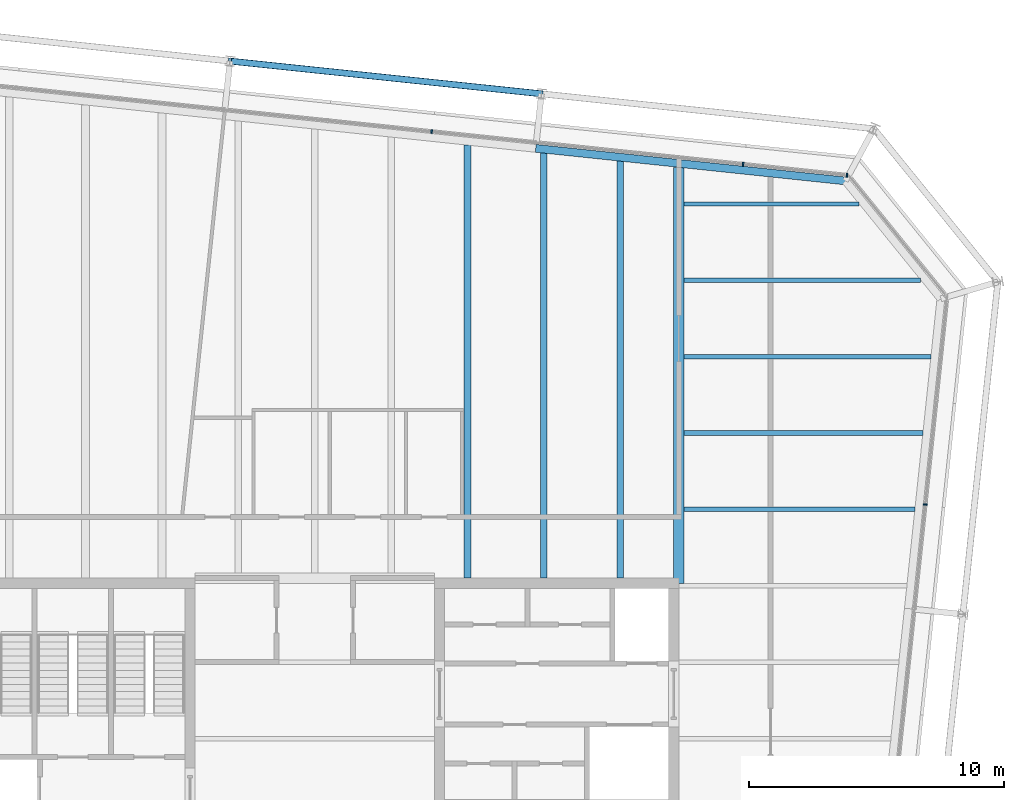
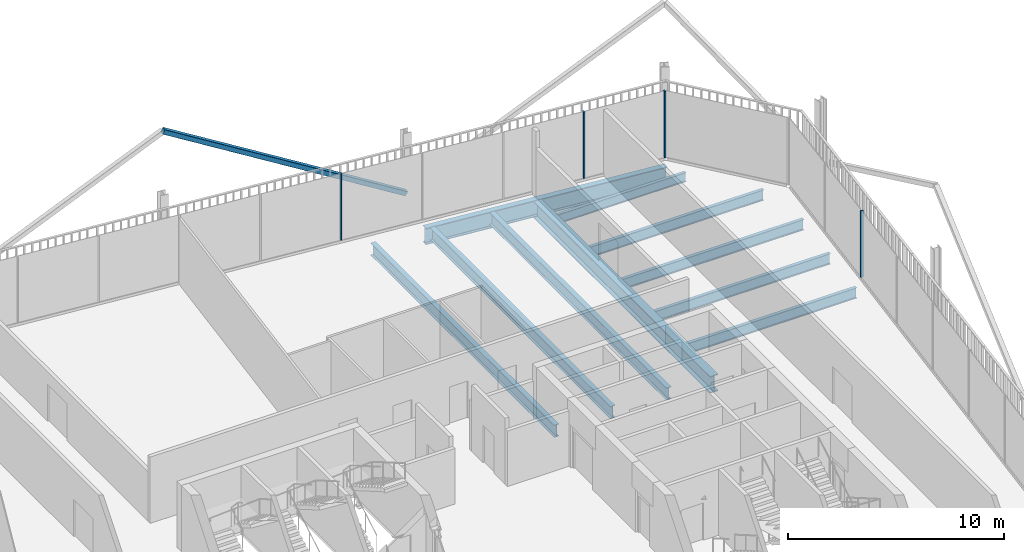
# One storey, part 14 of 21: 10 beams, 5 members, 2 elements without a shape of their own.
"""IFC4 building model written with IfcOpenShell, lengths in metres."""

from ifc_helpers import new_model, si_unit, direction, frame, origin, origin_2d, place, context, subcontext, project, spatial, rectangle, hollow_rectangle, i_section, extrude, material, layer, layer_set, material_profile, profile_set, type_object, element, aggregate, save


model = new_model("IFC4")

# Units and contexts
model_context = context("Model", 3, precision=1e-05, world=origin(), true_north=direction((0.0, 1.0)))
body_context = subcontext(model_context, "Body", "Model", "MODEL_VIEW")
ifc_project = project(units=[si_unit("LENGTHUNIT", "METRE"), si_unit("AREAUNIT", "SQUARE_METRE"), si_unit("VOLUMEUNIT", "CUBIC_METRE"), si_unit("PLANEANGLEUNIT", "RADIAN"), si_unit("MASSUNIT", "GRAM", prefix="KILO")], contexts=[model_context])

# Site, building, storey
site_placement = place(None, origin())
site = spatial("IfcSite", under=ifc_project, at=site_placement, CompositionType="ELEMENT")
building_placement = place(site_placement, origin())
building = spatial("IfcBuilding", under=site, at=building_placement, Name="Millrace Tower", CompositionType="ELEMENT")
storey_placement = place(building_placement, frame((0.0, 0.0, 326.5)))
storey = spatial("IfcBuildingStorey", under=building, at=storey_placement, Name="L75", CompositionType="ELEMENT", Elevation=326.5)

# Curtain wall, member
ifc_material_1 = material(Name="Aluminium and glass", Category="aluminium")
ifc_layer = layer(ifc_material_1, 0.14990234375)
ifc_layer_set = layer_set([ifc_layer], Name="Aluminium and glass")
curtain_wall_type = type_object("IfcCurtainWallType", Name="CW-1 office vision curtain wall", PredefinedType="NOTDEFINED", material=ifc_layer_set)
placement = place(storey_placement, origin())
curtain_wall_1 = element("IfcCurtainWall", 1, at=placement, inside=storey, type_object=curtain_wall_type, Name="Curtain wall E-F04 L75", PredefinedType="NOTDEFINED")
ifc_material_2 = material(Name="Aluminium", Category="aluminium")
ifc_material_profile_1 = material_profile(ifc_material_2, rectangle(XDim=0.06494140625, YDim=0.14990234375, at=origin_2d()))
ifc_profile_set_1 = profile_set([ifc_material_profile_1], Name="Aluminium")
member_type_1 = type_object("IfcMemberType", Name="CW-1 office vision curtain wall mullion", PredefinedType="MULLION", material=ifc_profile_set_1)
member_1_placement = place(storey_placement, frame((23.974853515625, 12.1904296875, 0.139892578125), z_axis=(0.0, 0.0, 1.0), x_axis=(0.104528455196, 0.994521896217, 0.0)))
member_1 = element("IfcMember", 2, at=member_1_placement, type_object=member_type_1, Name="CW1 mullion E-F04.8", PredefinedType="MULLION", context=body_context, shape_type="SweptSolid", body=[
    extrude(rectangle(XDim=0.06494140625, YDim=0.14990234375, at=origin_2d()), origin(), (0.0, 0.0, 1.0), 3.760009765625),
])
aggregate(curtain_wall_1, [member_1])

# Curtain wall, members
curtain_wall_2 = element("IfcCurtainWall", 3, at=placement, inside=storey, type_object=curtain_wall_type, Name="Curtain wall E-F06 L75", PredefinedType="NOTDEFINED")
member_2_placement = place(storey_placement, frame((20.902587890625, 25.124755859375, 0.139892578125), z_axis=(0.0, 0.0, 1.0), x_axis=(-0.994521896217, 0.104528455196, 0.0)))
member_2 = element("IfcMember", 4, at=member_2_placement, type_object=member_type_1, Name="CW1 mullion E-F06.1", PredefinedType="MULLION", context=body_context, shape_type="SweptSolid", body=[
    extrude(rectangle(XDim=0.06494140625, YDim=0.14990234375, at=origin_2d()), origin(), (0.0, 0.0, 1.0), 3.760009765625),
])
member_3_placement = place(storey_placement, frame((16.824951171875, 25.553466796875, 0.139892578125), z_axis=(0.0, 0.0, 1.0), x_axis=(-0.994521896217, 0.104528455196, 0.0)))
member_3 = element("IfcMember", 5, at=member_3_placement, type_object=member_type_1, Name="CW1 mullion E-F06.2", PredefinedType="MULLION", context=body_context, shape_type="SweptSolid", body=[
    extrude(rectangle(XDim=0.06494140625, YDim=0.14990234375, at=origin_2d()), origin(), (0.0, 0.0, 1.0), 3.760009765625),
])
member_4_placement = place(storey_placement, frame((4.59228515625, 26.839111328125, 0.139892578125), z_axis=(0.0, 0.0, 1.0), x_axis=(-0.994521896217, 0.104528455196, 0.0)))
member_4 = element("IfcMember", 6, at=member_4_placement, type_object=member_type_1, Name="CW1 mullion E-F06.5", PredefinedType="MULLION", context=body_context, shape_type="SweptSolid", body=[
    extrude(rectangle(XDim=0.06494140625, YDim=0.14990234375, at=origin_2d()), origin(), (0.0, 0.0, 1.0), 3.760009765625),
])
aggregate(curtain_wall_2, [member_2, member_3, member_4])

# Member
ifc_material_3 = material(Name="Steel ASTM A500 Grade C", Category="steel")
ifc_material_profile_2 = material_profile(ifc_material_3, hollow_rectangle(XDim=0.25390625, YDim=0.25390625, WallThickness=0.009521484375, InnerFilletRadius=0.004638671875, OuterFilletRadius=0.014404296875, at=origin_2d()))
ifc_profile_set_2 = profile_set([ifc_material_profile_2], Name="Steel ASTM A500 Grade C")
member_type_2 = type_object("IfcMemberType", Name="Exoskeleton brace HSS10x10x3/8", PredefinedType="BRACE", material=ifc_profile_set_2)
member_5_placement = place(storey_placement, frame((8.9033203125, 28.321533203125, 0.39990234375), z_axis=(-0.864351522622, 0.090842732624, 0.494615045537), x_axis=(-0.104523600289, -0.994522406476, 0.0)))
element("IfcMember", 7, at=member_5_placement, inside=storey, type_object=member_type_2, Name="BRC-E-L75-11", PredefinedType="BRACE", context=body_context, shape_type="SweptSolid", body=[
    extrude(hollow_rectangle(XDim=0.25390625, YDim=0.25390625, WallThickness=0.009521484375, InnerFilletRadius=0.004638671875, OuterFilletRadius=0.014404296875, at=origin_2d()), origin(), (0.0, 0.0, 1.0), 14.15234375),
])

# Beams
ifc_material_4 = material(Name="Steel ASTM A992 Grade 50", Category="steel")
ifc_material_profile_3 = material_profile(ifc_material_4, i_section(OverallWidth=0.1650390625, OverallDepth=0.52587890625, WebThickness=0.0087890625, FlangeThickness=0.011474609375, FilletRadius=0.0126953125, at=origin_2d()))
ifc_profile_set_3 = profile_set([ifc_material_profile_3], Name="Steel ASTM A992 Grade 50")
beam_type_1 = type_object("IfcBeamType", Name="Floor beam W21x44", PredefinedType="JOIST", material=ifc_profile_set_3)
beam_1_placement = place(storey_placement, frame((14.509521484375, 24.0, -0.4228515625), z_axis=(1.0, 0.0, 0.0), x_axis=(0.0, 1.0, 0.0)))
element("IfcBeam", 8, at=beam_1_placement, inside=storey, type_object=beam_type_1, Name="BM-E-L75-S1-S034", PredefinedType="JOIST", context=body_context, shape_type="SweptSolid", body=[
    extrude(i_section(OverallWidth=0.1650390625, OverallDepth=0.52587890625, WebThickness=0.0087890625, FlangeThickness=0.011474609375, FilletRadius=0.0126953125, at=origin_2d()), origin(), (0.0, 0.0, 1.0), 6.861572265625),
])
ifc_material_5 = material(Name="Steel ASTM A992 Grade 50", Category="steel")
ifc_material_profile_4 = material_profile(ifc_material_5, i_section(OverallWidth=0.177978515625, OverallDepth=0.599365234375, WebThickness=0.010009765625, FlangeThickness=0.012939453125, FilletRadius=0.012939453125, at=origin_2d()))
ifc_profile_set_4 = profile_set([ifc_material_profile_4], Name="Steel ASTM A992 Grade 50")
beam_type_2 = type_object("IfcBeamType", Name="Floor beam W24x55", PredefinedType="JOIST", material=ifc_profile_set_4)
beam_2_placement = place(storey_placement, frame((14.509521484375, 12.0, -0.459716796875), z_axis=(1.0, 0.0, 0.0), x_axis=(0.0, 1.0, 0.0)))
element("IfcBeam", 9, at=beam_2_placement, inside=storey, type_object=beam_type_2, Name="BM-E-L75-S1-S026", PredefinedType="JOIST", context=body_context, shape_type="SweptSolid", body=[
    extrude(i_section(OverallWidth=0.177978515625, OverallDepth=0.599365234375, WebThickness=0.010009765625, FlangeThickness=0.012939453125, FilletRadius=0.012939453125, at=origin_2d()), origin(), (0.0, 0.0, 1.0), 9.060791015625),
])
beam_3_placement = place(storey_placement, frame((14.509521484375, 15.0, -0.459716796875), z_axis=(1.0, 0.0, 0.0), x_axis=(0.0, 1.0, 0.0)))
element("IfcBeam", 10, at=beam_3_placement, inside=storey, type_object=beam_type_2, Name="BM-E-L75-S1-S028", PredefinedType="JOIST", context=body_context, shape_type="SweptSolid", body=[
    extrude(i_section(OverallWidth=0.177978515625, OverallDepth=0.599365234375, WebThickness=0.010009765625, FlangeThickness=0.012939453125, FilletRadius=0.012939453125, at=origin_2d()), origin(), (0.0, 0.0, 1.0), 9.376220703125),
])
beam_4_placement = place(storey_placement, frame((14.509521484375, 18.0, -0.459716796875), z_axis=(1.0, 0.0, 0.0), x_axis=(0.0, 1.0, 0.0)))
element("IfcBeam", 11, at=beam_4_placement, inside=storey, type_object=beam_type_2, Name="BM-E-L75-S1-S030", PredefinedType="JOIST", context=body_context, shape_type="SweptSolid", body=[
    extrude(i_section(OverallWidth=0.177978515625, OverallDepth=0.599365234375, WebThickness=0.010009765625, FlangeThickness=0.012939453125, FilletRadius=0.012939453125, at=origin_2d()), origin(), (0.0, 0.0, 1.0), 9.69140625),
])
beam_5_placement = place(storey_placement, frame((14.509521484375, 21.0, -0.459716796875), z_axis=(1.0, 0.0, 0.0), x_axis=(0.0, 1.0, 0.0)))
element("IfcBeam", 12, at=beam_5_placement, inside=storey, type_object=beam_type_2, Name="BM-E-L75-S1-S032", PredefinedType="JOIST", context=body_context, shape_type="SweptSolid", body=[
    extrude(i_section(OverallWidth=0.177978515625, OverallDepth=0.599365234375, WebThickness=0.010009765625, FlangeThickness=0.012939453125, FilletRadius=0.012939453125, at=origin_2d()), origin(), (0.0, 0.0, 1.0), 9.282958984375),
])
ifc_material_6 = material(Name="Steel ASTM A992 Grade 50", Category="steel")
ifc_material_profile_5 = material_profile(ifc_material_6, i_section(OverallWidth=0.256591796875, OverallDepth=0.693359375, WebThickness=0.014404296875, FlangeThickness=0.023681640625, FilletRadius=0.01513671875, at=origin_2d()))
ifc_profile_set_5 = profile_set([ifc_material_profile_5], Name="Steel ASTM A992 Grade 50")
beam_type_3 = type_object("IfcBeamType", Name="Floor beam W27x114", PredefinedType="JOIST", material=ifc_profile_set_5)
beam_6_placement = place(storey_placement, frame((6.0, 9.300048828125, -0.506591796875), z_axis=(0.0, 1.0, 0.0), x_axis=(-1.0, 0.0, 0.0)))
element("IfcBeam", 13, at=beam_6_placement, inside=storey, type_object=beam_type_3, Name="BM-E-L75-S1-S048", PredefinedType="JOIST", context=body_context, shape_type="SweptSolid", body=[
    extrude(i_section(OverallWidth=0.256591796875, OverallDepth=0.693359375, WebThickness=0.014404296875, FlangeThickness=0.023681640625, FilletRadius=0.01513671875, at=origin_2d()), origin(), (0.0, 0.0, 1.0), 17.006591796875),
])
beam_7_placement = place(storey_placement, frame((9.0, 9.300048828125, -0.506591796875), z_axis=(0.0, 1.0, 0.0), x_axis=(-1.0, 0.0, 0.0)))
element("IfcBeam", 14, at=beam_7_placement, inside=storey, type_object=beam_type_3, Name="BM-E-L75-S1-S050", PredefinedType="JOIST", context=body_context, shape_type="SweptSolid", body=[
    extrude(i_section(OverallWidth=0.256591796875, OverallDepth=0.693359375, WebThickness=0.014404296875, FlangeThickness=0.023681640625, FilletRadius=0.01513671875, at=origin_2d()), origin(), (0.0, 0.0, 1.0), 16.69140625),
])
beam_8_placement = place(storey_placement, frame((12.0, 9.300048828125, -0.506591796875), z_axis=(0.0, 1.0, 0.0), x_axis=(-1.0, 0.0, 0.0)))
element("IfcBeam", 15, at=beam_8_placement, inside=storey, type_object=beam_type_3, Name="BM-E-L75-S1-S052", PredefinedType="JOIST", context=body_context, shape_type="SweptSolid", body=[
    extrude(i_section(OverallWidth=0.256591796875, OverallDepth=0.693359375, WebThickness=0.014404296875, FlangeThickness=0.023681640625, FilletRadius=0.01513671875, at=origin_2d()), origin(), (0.0, 0.0, 1.0), 16.3759765625),
])
ifc_material_7 = material(Name="Steel ASTM A992 Grade 50", Category="steel")
ifc_material_profile_6 = material_profile(ifc_material_7, i_section(OverallWidth=0.424072265625, OverallDepth=0.947509765625, WebThickness=0.02392578125, FlangeThickness=0.042724609375, FilletRadius=0.024169921875, at=origin_2d()))
ifc_profile_set_6 = profile_set([ifc_material_profile_6], Name="Steel ASTM A992 Grade 50")
beam_type_4 = type_object("IfcBeamType", Name="Girder medium span W36x302", PredefinedType="BEAM", material=ifc_profile_set_6)
beam_9_placement = place(storey_placement, frame((14.300048828125, 9.092041015625, -0.6337890625), z_axis=(0.0, 1.0, 0.0), x_axis=(-1.0, 0.0, 0.0)))
element("IfcBeam", 16, at=beam_9_placement, inside=storey, type_object=beam_type_4, Name="BM-E-L75-S1-G056", PredefinedType="BEAM", context=body_context, shape_type="SweptSolid", body=[
    extrude(i_section(OverallWidth=0.424072265625, OverallDepth=0.947509765625, WebThickness=0.02392578125, FlangeThickness=0.042724609375, FilletRadius=0.024169921875, at=origin_2d()), origin(), (0.0, 0.0, 1.0), 16.34228515625),
])
ifc_material_8 = material(Name="Steel ASTM A992 Grade 50", Category="steel")
ifc_material_profile_7 = material_profile(ifc_material_8, i_section(OverallWidth=0.307373046875, OverallDepth=0.927001953125, WebThickness=0.01953125, FlangeThickness=0.031982421875, FilletRadius=0.01904296875, at=origin_2d()))
ifc_profile_set_7 = profile_set([ifc_material_profile_7], Name="Steel ASTM A992 Grade 50")
beam_type_5 = type_object("IfcBeamType", Name="Ring beam medium span W36x194", PredefinedType="SPANDREL", material=ifc_profile_set_7)
beam_10_placement = place(storey_placement, frame((8.67822265625, 26.1796875, -0.62353515625), z_axis=(0.994521948696, -0.104527955888, 0.0), x_axis=(0.104527955888, 0.994521948696, 0.0)))
element("IfcBeam", 17, at=beam_10_placement, inside=storey, type_object=beam_type_5, Name="RNG-E-L75-S1-07", PredefinedType="SPANDREL", context=body_context, shape_type="SweptSolid", body=[
    extrude(i_section(OverallWidth=0.307373046875, OverallDepth=0.927001953125, WebThickness=0.01953125, FlangeThickness=0.031982421875, FilletRadius=0.01904296875, at=origin_2d()), origin(), (0.0, 0.0, 1.0), 12.236572265625),
])

save(model, "model.ifc")
